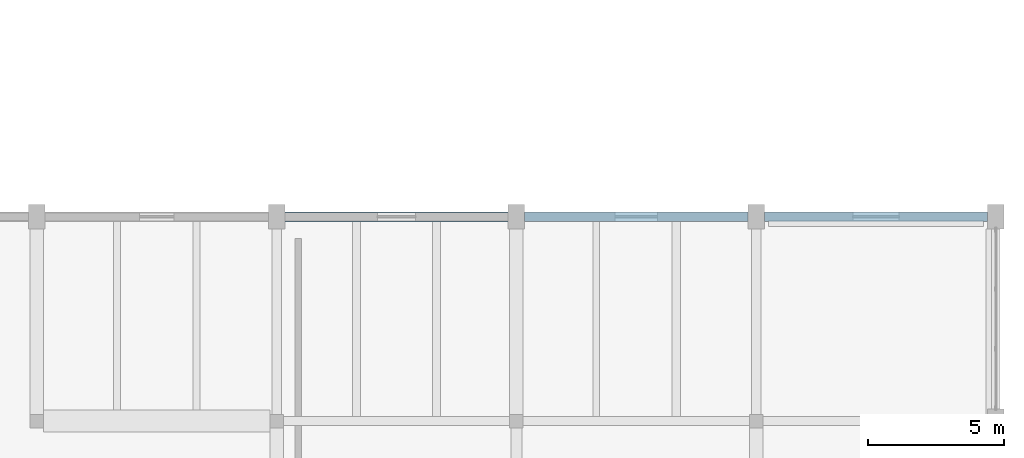
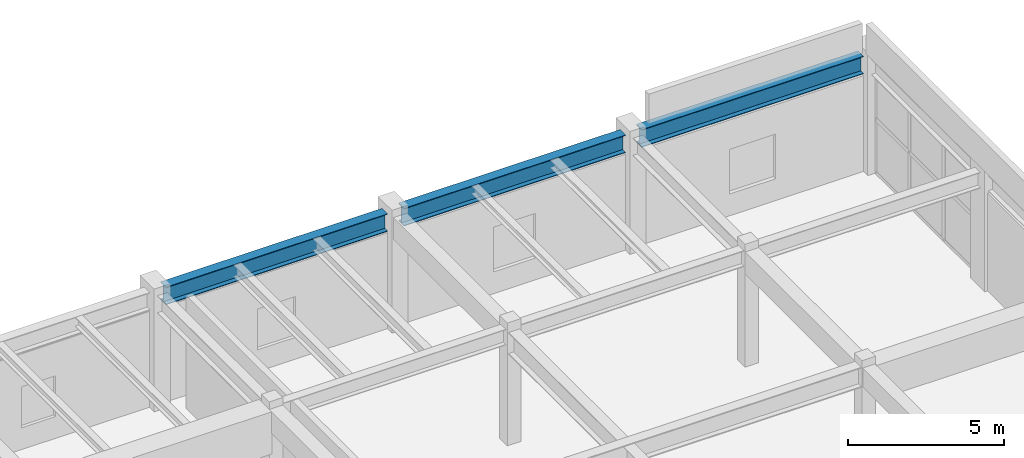
# One storey, part 49 of 80: 3 beams.
"""IFC4 building model written with IfcOpenShell, lengths in metres."""

import ifcopenshell
import ifcopenshell.guid

model = None  # the IFC model being written
_history = None  # IfcOwnerHistory: only IFC2X3 demands one
_inside = {}  # id of a spatial element -> (the spatial element, [elements in it])
_under = {}  # id of a project, library or spatial element -> (it, [spatial elements below it])
_declared = {}  # id of a project -> (the project, [libraries it declares])
_typed = {}  # id of a type object -> (the type object, [elements of that type])
_made_of = {}  # id of a material, layer set ... -> (it, [elements and type objects made of it])


def new_model(schema):
    """Start an empty IFC model of exactly this schema.

    Asked for "IFC4X3", IfcOpenShell would pick the latest addendum, in which some entities
    have other attributes; the version numbers below select the first issue.
    IFC2X3 requires an IfcOwnerHistory on every rooted entity: one is made here for all.
    """
    global model, _history
    if schema == "IFC4X3":
        model = ifcopenshell.file(schema_version=(4, 3, 0, 0))
    else:
        model = ifcopenshell.file(schema=schema)
    _inside.clear()
    _under.clear()
    _declared.clear()
    _typed.clear()
    _made_of.clear()
    _history = None
    if model.schema == "IFC2X3":
        org = make("IfcOrganization", Name="unknown")
        user = make(
            "IfcPersonAndOrganization",
            ThePerson=make("IfcPerson", FamilyName="unknown"),
            TheOrganization=org,
        )
        app = make(
            "IfcApplication",
            ApplicationDeveloper=org,
            Version="unknown",
            ApplicationFullName="unknown",
            ApplicationIdentifier="unknown",
        )
        _history = make(
            "IfcOwnerHistory",
            OwningUser=user,
            OwningApplication=app,
            ChangeAction="ADDED",
            CreationDate=0,
        )
    return model


def make(cls, **values):
    """One entity of the class cls with the attributes given. An attribute that is None is left unset."""
    return model.create_entity(
        cls, **{name: value for name, value in values.items() if value is not None}
    )


def rooted(cls, **values):
    """An entity with a GlobalId (a new one), such as an element, a storey or a relation."""
    return make(cls, GlobalId=ifcopenshell.guid.new(), OwnerHistory=_history, **values)


def si_unit(unit_type, name, prefix=None):
    """IfcSIUnit, for example si_unit("LENGTHUNIT", "METRE", prefix="MILLI")."""
    return make("IfcSIUnit", UnitType=unit_type, Prefix=prefix, Name=name)


def assignment(units):
    """IfcUnitAssignment: the units of a project."""
    return None if units is None else make("IfcUnitAssignment", Units=units)


def point(xyz):
    """IfcCartesianPoint."""
    return None if xyz is None else make("IfcCartesianPoint", Coordinates=xyz)


def direction(xyz):
    """IfcDirection."""
    return None if xyz is None else make("IfcDirection", DirectionRatios=xyz)


def frame(location, z_axis=None, x_axis=None):
    """IfcAxis2Placement3D, a coordinate frame: its origin and axes. An axis left out is left unset."""
    return make(
        "IfcAxis2Placement3D",
        Location=point(location),
        Axis=direction(z_axis),
        RefDirection=direction(x_axis),
    )


def frame_2d(location, x_axis=None):
    """IfcAxis2Placement2D, a coordinate frame in the plane: its origin and x axis."""
    return make(
        "IfcAxis2Placement2D", Location=point(location), RefDirection=direction(x_axis)
    )


def origin():
    """The frame at (0, 0, 0) with its axes left unset."""
    return frame((0.0, 0.0, 0.0))


def origin_2d():
    """The frame at (0, 0) in the plane with its x axis left unset."""
    return frame_2d((0.0, 0.0))


def place(relative_to, where):
    """IfcLocalPlacement: puts the frame where relative to a parent placement (None: the world)."""
    return make(
        "IfcLocalPlacement", PlacementRelTo=relative_to, RelativePlacement=where
    )


def context(
    kind, dimensions, precision=None, world=None, true_north=None, identifier=None
):
    """IfcGeometricRepresentationContext, for example the 3D "Model" context."""
    return make(
        "IfcGeometricRepresentationContext",
        ContextIdentifier=identifier,
        ContextType=kind,
        CoordinateSpaceDimension=dimensions,
        Precision=precision,
        WorldCoordinateSystem=world,
        TrueNorth=true_north,
    )


def subcontext(parent, identifier, kind, view, scale=None):
    """IfcGeometricRepresentationSubContext, for example "Body" below "Model"."""
    return make(
        "IfcGeometricRepresentationSubContext",
        ContextIdentifier=identifier,
        ContextType=kind,
        ParentContext=parent,
        TargetScale=scale,
        TargetView=view,
    )


def project(units=None, contexts=None):
    """IfcProject with its units and contexts."""
    return rooted(
        "IfcProject",
        Name="project",
        RepresentationContexts=contexts,
        UnitsInContext=assignment(units),
    )


def spatial(cls, under=None, at=None, **own):
    """A site, building, storey or space (cls), placed at a placement, below another one or the project."""
    s = rooted(cls, ObjectPlacement=at, **own)
    if under is not None:
        _under.setdefault(under.id(), (under, []))[1].append(s)
    return s


def profile(cls, at=None, kind="AREA", **sizes):
    """A parametric profile (cls). Its sizes go by their IFC names, for example OverallWidth=200.0."""
    return make(cls, ProfileType=kind, Position=at, **sizes)


def i_section(**sizes):
    """IfcIShapeProfileDef."""
    return profile("IfcIShapeProfileDef", **sizes)


def extrude(swept, where, along, depth):
    """IfcExtrudedAreaSolid: the profile swept, set in the frame where, extruded along a direction by depth."""
    return make(
        "IfcExtrudedAreaSolid",
        SweptArea=swept,
        Position=where,
        ExtrudedDirection=direction(along),
        Depth=depth,
    )


def shape(context_of_items, identifier, shape_type, items):
    """IfcShapeRepresentation: the items that make up one representation, for example the "Body"."""
    return make(
        "IfcShapeRepresentation",
        ContextOfItems=context_of_items,
        RepresentationIdentifier=identifier,
        RepresentationType=shape_type,
        Items=items,
    )


def material(Name=None, Category=None):
    """IfcMaterial."""
    return make("IfcMaterial", Name=Name, Category=Category)


def material_profile(
    of_material, cross_section, Name=None, Category=None, Priority=None
):
    """IfcMaterialProfile: a cross section and its material."""
    return make(
        "IfcMaterialProfile",
        Name=Name,
        Material=of_material,
        Profile=cross_section,
        Priority=Priority,
        Category=Category,
    )


def profile_set(profiles, Name=None, composite=None):
    """IfcMaterialProfileSet."""
    return make(
        "IfcMaterialProfileSet",
        Name=Name,
        MaterialProfiles=profiles,
        CompositeProfile=composite,
    )


def made_of(thing, what):
    """Note that an element or type object is made of a material, layer set ...; save() writes the relation."""
    if what is not None:
        _made_of.setdefault(what.id(), (what, []))[1].append(thing)
    return thing


def type_object(cls, material=None, **own):
    """A type object (cls), such as IfcWallType, which elements share."""
    return made_of(rooted(cls, **own), material)


def element(
    cls,
    number,
    at=None,
    inside=None,
    cuts=None,
    type_object=None,
    material=None,
    context=None,
    identifier="Body",
    shape_type=None,
    held_by="IfcProductDefinitionShape",
    body=None,
    shapes=None,
    **own,
):
    """One element of the class cls, such as IfcWall. Its Tag is "e" and its number.

    at: its placement. inside: the storey or other place that contains it. cuts: it is an
    opening in that element (IfcRelVoidsElement). A single representation is given by context,
    identifier, shape_type and body (its items); several are given by shapes. held_by: the class
    of the entity that holds the representations. save() writes the other relations.
    """
    e = rooted(cls, Tag="e%d" % number, ObjectPlacement=at, **own)
    if body is not None:
        shapes = [shape(context, identifier, shape_type, body)]
    if shapes is not None:
        e.Representation = make(held_by, Representations=shapes)
    if inside is not None:
        _inside.setdefault(inside.id(), (inside, []))[1].append(e)
    if cuts is not None:
        rooted(
            "IfcRelVoidsElement", RelatingBuildingElement=cuts, RelatedOpeningElement=e
        )
    if type_object is not None:
        _typed.setdefault(type_object.id(), (type_object, []))[1].append(e)
    return made_of(e, material)


def aggregate(whole, parts):
    """IfcRelAggregates: a whole, such as a stair, and the parts it consists of."""
    return rooted("IfcRelAggregates", RelatingObject=whole, RelatedObjects=parts)


def save(model, path):
    """Write the relations noted so far, then the file.

    IfcRelAggregates (storeys below a building ...), IfcRelContainedInSpatialStructure (elements
    in a storey), IfcRelDefinesByType, IfcRelAssociatesMaterial and IfcRelDeclares: one each for
    every whole, place, type object, material and project.
    """
    for whole, parts in _under.values():
        aggregate(whole, parts)
    for where, things in _inside.values():
        rooted(
            "IfcRelContainedInSpatialStructure",
            RelatedElements=things,
            RelatingStructure=where,
        )
    for kind, things in _typed.values():
        rooted("IfcRelDefinesByType", RelatedObjects=things, RelatingType=kind)
    for what, things in _made_of.values():
        rooted("IfcRelAssociatesMaterial", RelatedObjects=things, RelatingMaterial=what)
    for by, libraries in _declared.values():
        rooted("IfcRelDeclares", RelatingContext=by, RelatedDefinitions=libraries)
    model.write(path)


model = new_model("IFC4")

# Units and contexts
model_context = context("Model", 3, precision=1e-05, world=origin(), true_north=direction((0.0, 1.0)))
body_context = subcontext(model_context, "Body", "Model", "MODEL_VIEW")
ifc_project = project(units=[si_unit("LENGTHUNIT", "METRE"), si_unit("AREAUNIT", "SQUARE_METRE"), si_unit("VOLUMEUNIT", "CUBIC_METRE"), si_unit("PLANEANGLEUNIT", "RADIAN"), si_unit("MASSUNIT", "GRAM", prefix="KILO")], contexts=[model_context])

# Site, building, storey
site_placement = place(None, origin())
site = spatial("IfcSite", under=ifc_project, at=site_placement, CompositionType="ELEMENT")
building_placement = place(site_placement, origin())
building = spatial("IfcBuilding", under=site, at=building_placement, Name="Vaelkrest Opera House", CompositionType="ELEMENT")
storey_placement = place(building_placement, frame((0.0, 0.0, 15.0)))
storey = spatial("IfcBuildingStorey", under=building, at=storey_placement, Name="L03", CompositionType="ELEMENT", Elevation=15.0)

# Beams
ifc_material = material(Name="Steel A992 Gr50", Category="steel")
ifc_material_profile = material_profile(ifc_material, i_section(OverallWidth=0.35498046875, OverallDepth=0.695068359375, WebThickness=0.015380859375, FlangeThickness=0.02490234375, at=origin_2d()), Name="W27X146")
ifc_profile_set = profile_set([ifc_material_profile], Name="Steel A992 Gr50")
beam_type = type_object("IfcBeamType", Name="SP02", PredefinedType="SPANDREL", material=ifc_profile_set)
for number, where, z_axis, x_axis, name in (
    (1, (51.5, 25.199951171875, 4.157470703125), (1.0, 0.0, 0.0), (0.0, 1.0, 0.0), "Beam BM-V4-L03-2358"),
    (2, (60.300048828125, 25.199951171875, 4.157470703125), (1.0, 0.0, 0.0), (0.0, 1.0, 0.0), "Beam BM-V4-L03-2359"),
    (3, (69.10009765625, 25.199951171875, 4.157470703125), (1.0, 0.0, 0.0), (0.0, 1.0, 0.0), "Beam BM-V4-L03-2360"),
):
    element("IfcBeam", number, at=place(storey_placement, frame(where, z_axis=z_axis, x_axis=x_axis)), inside=storey, type_object=beam_type, Name=name, PredefinedType="SPANDREL", context=body_context, shape_type="SweptSolid", body=[
        extrude(i_section(OverallWidth=0.35498046875, OverallDepth=0.695068359375, WebThickness=0.015380859375, FlangeThickness=0.02490234375, at=origin_2d()), origin(), (0.0, 0.0, 1.0), 8.199951171875),
    ])

save(model, "model.ifc")
